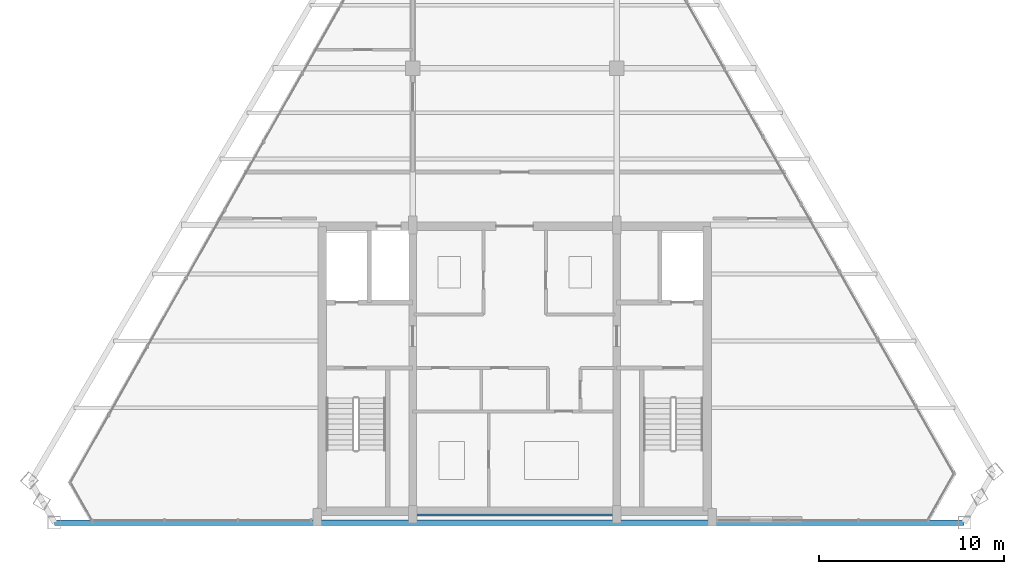
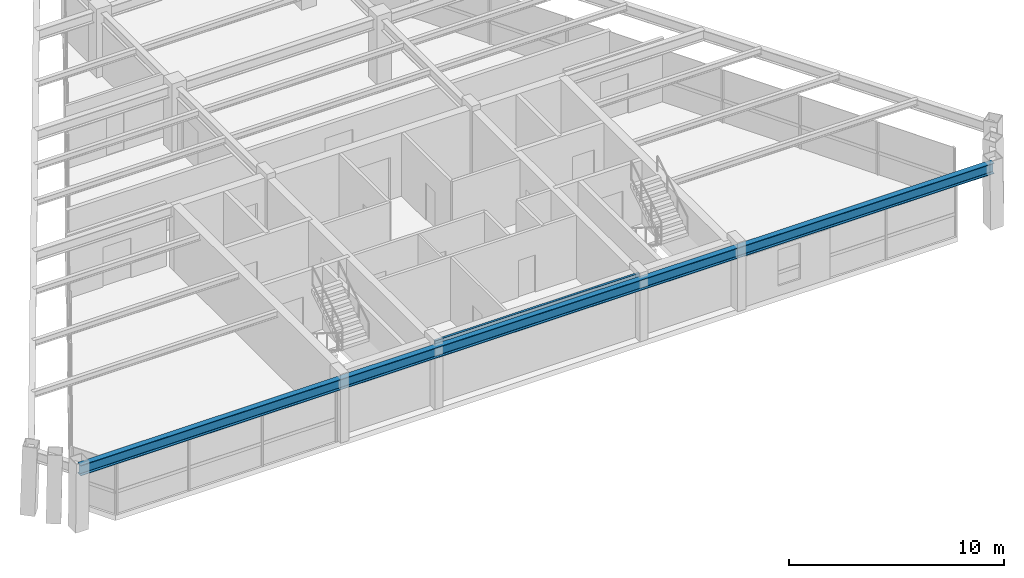
# One storey, part 3 of 12: 2 beams.
"""IFC4 building model written with IfcOpenShell, lengths in metres."""

from ifc_helpers import new_model, si_unit, direction, frame, origin, origin_2d, place, context, subcontext, project, spatial, i_section, extrude, source, transform, mapped, material, material_profile, profile_set, type_object, type_shapes, element, save


model = new_model("IFC4")

# Units and contexts
model_context = context("Model", 3, precision=1e-05, world=origin(), true_north=direction((0.0, 1.0)))
body_context = subcontext(model_context, "Body", "Model", "MODEL_VIEW")
ifc_project = project(units=[si_unit("LENGTHUNIT", "METRE"), si_unit("AREAUNIT", "SQUARE_METRE"), si_unit("VOLUMEUNIT", "CUBIC_METRE"), si_unit("PLANEANGLEUNIT", "RADIAN"), si_unit("MASSUNIT", "GRAM", prefix="KILO")], contexts=[model_context])

# Site, building, storey
site_placement = place(None, origin())
site = spatial("IfcSite", under=ifc_project, at=site_placement, CompositionType="ELEMENT")
building_placement = place(site_placement, origin())
building = spatial("IfcBuilding", under=site, at=building_placement, Name="Varnakhor Terracotta Tower", CompositionType="ELEMENT")
storey_placement = place(building_placement, frame((0.0, 0.0, 313.60009765625)))
storey = spatial("IfcBuildingStorey", under=building, at=storey_placement, Name="L82 Crown", CompositionType="ELEMENT", Elevation=313.60009765625)

# Beams
ifc_material = material(Name="Steel S355", Category="steel")
ifc_material_profile_1 = material_profile(ifc_material, i_section(OverallWidth=0.1201171875, OverallDepth=0.239990234375, WebThickness=0.006103515625, FlangeThickness=0.009765625, FilletRadius=0.01806640625, at=origin_2d()), Name="IPE240")
ifc_profile_set_1 = profile_set([ifc_material_profile_1], Name="Steel S355")
beam_type_1 = type_object("IfcBeamType", Name="LNT-IPE240", PredefinedType="LINTEL", material=ifc_profile_set_1)
shared_shape_1 = source(origin(), body_context, "Body", "SweptSolid", [
    extrude(i_section(OverallWidth=0.1201171875, OverallDepth=0.239990234375, WebThickness=0.006103515625, FlangeThickness=0.009765625, FilletRadius=0.01806640625, at=origin_2d()), origin(), (0.0, 0.0, 1.0), 11.0),
])
type_shapes(beam_type_1, [shared_shape_1])
beam_1_placement = place(storey_placement, frame((-5.5, 0.419921875, 3.47998046875), z_axis=(1.0, 0.0, 0.0), x_axis=(0.0, 1.0, 0.0)))
element("IfcBeam", 1, at=beam_1_placement, inside=storey, type_object=beam_type_1, Name="L82 Crown Core South Coupling Lintel", PredefinedType="LINTEL", context=body_context, shape_type="MappedRepresentation", body=[
    mapped(shared_shape_1, transform((0.0, 0.0, 0.0), scale=1.0)),
])
ifc_material_profile_2 = material_profile(ifc_material, i_section(OverallWidth=0.300048828125, OverallDepth=0.60009765625, WebThickness=0.015380859375, FlangeThickness=0.030029296875, FilletRadius=0.01806640625, at=origin_2d()), Name="HEB600")
ifc_profile_set_2 = profile_set([ifc_material_profile_2], Name="Steel S355")
beam_type_2 = type_object("IfcBeamType", Name="BM-HEB600", PredefinedType="BEAM", material=ifc_profile_set_2)
shared_shape_2 = source(origin(), body_context, "Body", "SweptSolid", [
    extrude(i_section(OverallWidth=0.300048828125, OverallDepth=0.60009765625, WebThickness=0.015380859375, FlangeThickness=0.030029296875, FilletRadius=0.01806640625, at=origin_2d()), origin(), (0.0, 0.0, 1.0), 49.018310546875),
])
beam_2_placement = place(storey_placement, frame((-24.796630859375, 0.0, 3.2998046875), z_axis=(1.0, 0.0, 0.0), x_axis=(0.0, 1.0, 0.0)))
element("IfcBeam", 2, at=beam_2_placement, inside=storey, type_object=beam_type_2, Name="L82 Crown Perimeter Spandrel 1", PredefinedType="BEAM", context=body_context, shape_type="MappedRepresentation", body=[
    mapped(shared_shape_2, transform((0.0, 0.0, 0.0), scale=1.0)),
])

save(model, "model.ifc")
